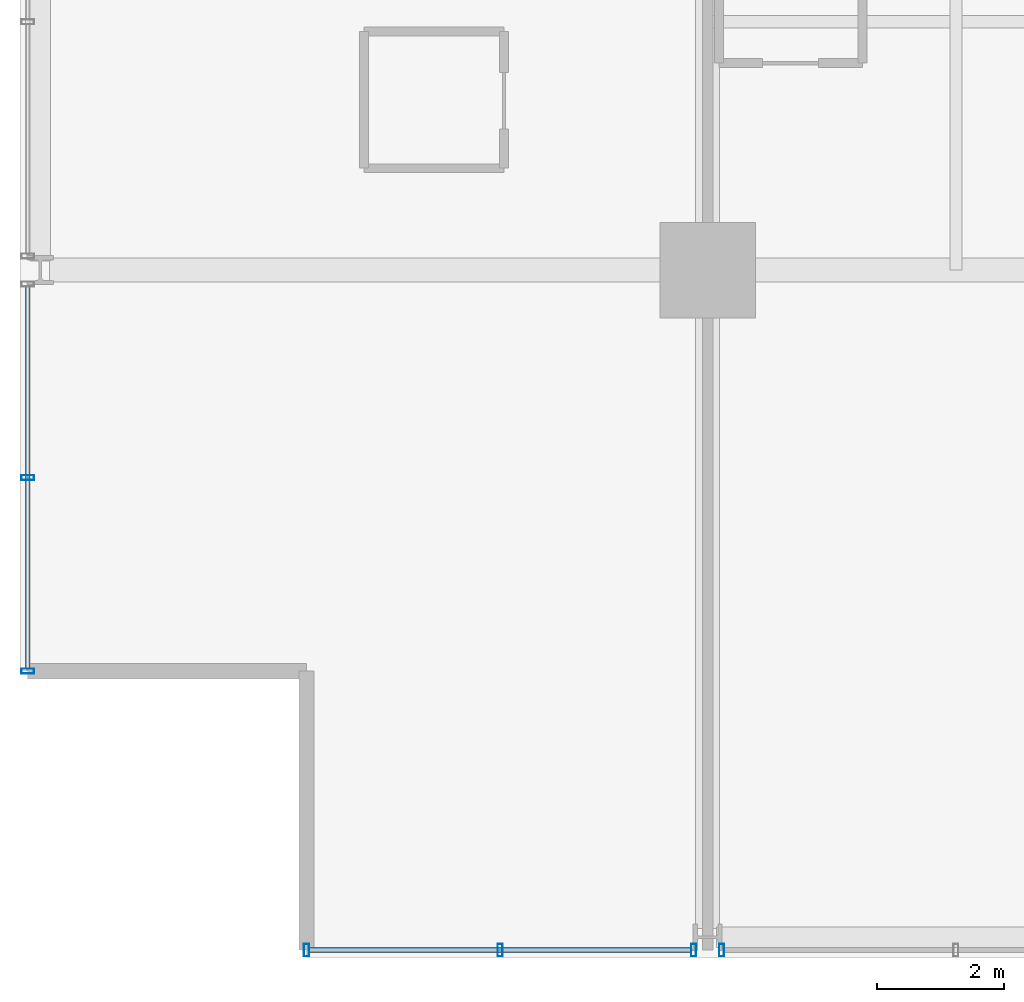
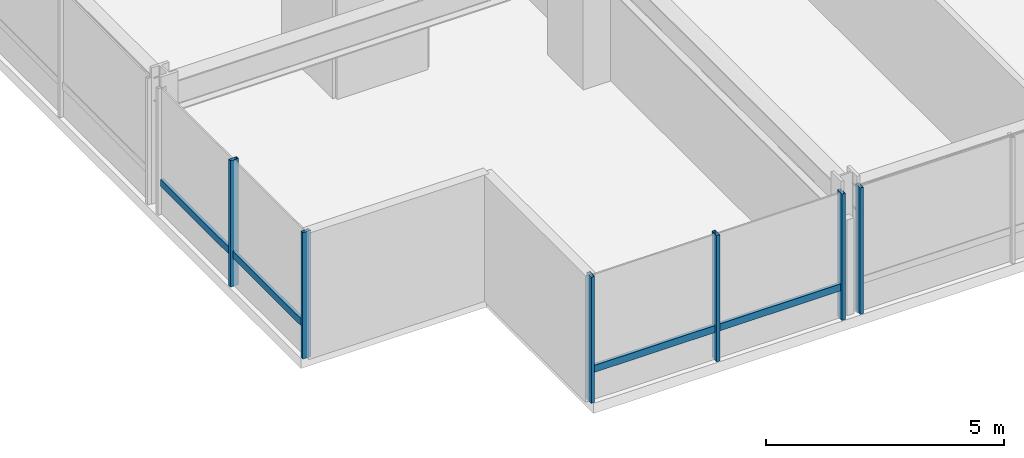
# One storey, part 2 of 35: 8 members, 3 elements without a shape of their own.
"""IFC4 building model written with IfcOpenShell, lengths in metres."""

from ifc_helpers import new_model, si_unit, direction, frame, origin, origin_2d, place, context, subcontext, project, spatial, hollow_rectangle, extrude, material, layer, layer_set, material_profile, profile_set, type_object, element, aggregate, save


model = new_model("IFC4")

# Units and contexts
model_context = context("Model", 3, precision=1e-05, world=origin(), true_north=direction((0.0, 1.0)))
body_context = subcontext(model_context, "Body", "Model", "MODEL_VIEW")
ifc_project = project(units=[si_unit("LENGTHUNIT", "METRE"), si_unit("AREAUNIT", "SQUARE_METRE"), si_unit("VOLUMEUNIT", "CUBIC_METRE"), si_unit("PLANEANGLEUNIT", "RADIAN"), si_unit("MASSUNIT", "GRAM", prefix="KILO")], contexts=[model_context])

# Site, building, storey
site_placement = place(None, origin())
site = spatial("IfcSite", under=ifc_project, at=site_placement, CompositionType="ELEMENT")
building_placement = place(site_placement, origin())
building = spatial("IfcBuilding", under=site, at=building_placement, Name="Drelvath Grand Hotel", CompositionType="ELEMENT")
storey_placement = place(building_placement, frame((0.0, 0.0, 95.300048828125)))
storey = spatial("IfcBuildingStorey", under=building, at=storey_placement, Name="L23", CompositionType="ELEMENT", Elevation=95.300048828125)

# Curtain wall, member
ifc_material = material(Name="Champagne Bronze Anodised Aluminium Frame", Category="aluminium")
ifc_layer = layer(ifc_material, 0.199951171875)
ifc_layer_set = layer_set([ifc_layer], Name="Champagne Bronze Anodised Aluminium Frame")
curtain_wall_type = type_object("IfcCurtainWallType", Name="Stick Curtain Wall CW-03 Champagne Bronze Mid-Rise", PredefinedType="NOTDEFINED", material=ifc_layer_set)
curtain_wall_1_placement = place(storey_placement, origin())
curtain_wall_1 = element("IfcCurtainWall", 1, at=curtain_wall_1_placement, inside=storey, type_object=curtain_wall_type, Name="L23 CW-03 Curtain Wall CW03-L23-WS1", PredefinedType="NOTDEFINED")
ifc_material_profile_1 = material_profile(ifc_material, hollow_rectangle(XDim=0.074951171875, YDim=0.179931640625, WallThickness=0.0048828125, at=origin_2d()), Name="HSS180X75X5")
ifc_profile_set_1 = profile_set([ifc_material_profile_1], Name="Champagne Bronze Anodised Aluminium Frame")
member_type_1 = type_object("IfcMemberType", Name="Curtain Wall Horizontal Transom CW-03 HSS180X75X5", PredefinedType="USERDEFINED", material=ifc_profile_set_1)
member_1_placement = place(storey_placement, frame((-26.8798828125, 4.5400390625, 0.81005859375), z_axis=(0.0, 1.0, 0.0), x_axis=(-1.0, 0.0, 0.0)))
member_1 = element("IfcMember", 2, at=member_1_placement, type_object=member_type_1, Name="CW03-L23-WS1 Sill Transom", ObjectType="TRANSOM", PredefinedType="USERDEFINED", context=body_context, shape_type="SweptSolid", body=[
    extrude(hollow_rectangle(XDim=0.074951171875, YDim=0.179931640625, WallThickness=0.0048828125, at=origin_2d()), origin(), (0.0, 0.0, 1.0), 6.000244140625),
])

curtain_wall_2_placement = place(storey_placement, origin())
curtain_wall_2 = element("IfcCurtainWall", 3, at=curtain_wall_2_placement, inside=storey, type_object=curtain_wall_type, Name="L23 CW-03 Curtain Wall CW03-L23-SW1", PredefinedType="NOTDEFINED")
member_2_placement = place(storey_placement, frame((-16.459716796875, 0.1201171875, 0.81005859375), z_axis=(-1.0, 0.0, 0.0), x_axis=(0.0, -1.0, 0.0)))
member_2 = element("IfcMember", 4, at=member_2_placement, type_object=member_type_1, Name="CW03-L23-SW1 Sill Transom", ObjectType="TRANSOM", PredefinedType="USERDEFINED", context=body_context, shape_type="SweptSolid", body=[
    extrude(hollow_rectangle(XDim=0.074951171875, YDim=0.179931640625, WallThickness=0.0048828125, at=origin_2d()), origin(), (0.0, 0.0, 1.0), 6.000244140625),
])

# Member
ifc_material_profile_2 = material_profile(ifc_material, hollow_rectangle(XDim=0.080078125, YDim=0.199951171875, WallThickness=0.0048828125, at=origin_2d()), Name="HSS200X80X5")
ifc_profile_set_2 = profile_set([ifc_material_profile_2], Name="Champagne Bronze Anodised Aluminium Frame")
member_type_2 = type_object("IfcMemberType", Name="Curtain Wall Vertical Mullion CW-03 HSS200X80X5", PredefinedType="MULLION", material=ifc_profile_set_2)
member_3_placement = place(storey_placement, frame((-26.8798828125, 4.5, 0.0), z_axis=(0.0, 0.0, 1.0), x_axis=(0.0, 1.0, 0.0)))
member_3 = element("IfcMember", 5, at=member_3_placement, type_object=member_type_2, Name="CW03-L23-WS1 Mullion 1", PredefinedType="MULLION", context=body_context, shape_type="SweptSolid", body=[
    extrude(hollow_rectangle(XDim=0.080078125, YDim=0.199951171875, WallThickness=0.0048828125, at=origin_2d()), origin(), (0.0, 0.0, 1.0), 3.239990234375),
])

member_4_placement = place(storey_placement, frame((-26.8798828125, 7.540283203125, 0.0), z_axis=(0.0, 0.0, 1.0), x_axis=(0.0, 1.0, 0.0)))
member_4 = element("IfcMember", 6, at=member_4_placement, type_object=member_type_2, Name="CW03-L23-WS1 Mullion 2", PredefinedType="MULLION", context=body_context, shape_type="SweptSolid", body=[
    extrude(hollow_rectangle(XDim=0.080078125, YDim=0.199951171875, WallThickness=0.0048828125, at=origin_2d()), origin(), (0.0, 0.0, 1.0), 3.239990234375),
])

aggregate(curtain_wall_1, [member_3, member_4, member_1])

member_5_placement = place(storey_placement, frame((-16.419677734375, 0.1201171875, 0.0), z_axis=(0.0, 0.0, 1.0), x_axis=(1.0, 0.0, 0.0)))
member_5 = element("IfcMember", 7, at=member_5_placement, type_object=member_type_2, Name="CW03-L23-SW1 Mullion 1", PredefinedType="MULLION", context=body_context, shape_type="SweptSolid", body=[
    extrude(hollow_rectangle(XDim=0.080078125, YDim=0.199951171875, WallThickness=0.0048828125, at=origin_2d()), origin(), (0.0, 0.0, 1.0), 3.239990234375),
])

member_6_placement = place(storey_placement, frame((-19.459716796875, 0.1201171875, 0.0), z_axis=(0.0, 0.0, 1.0), x_axis=(1.0, 0.0, 0.0)))
member_6 = element("IfcMember", 8, at=member_6_placement, type_object=member_type_2, Name="CW03-L23-SW1 Mullion 2", PredefinedType="MULLION", context=body_context, shape_type="SweptSolid", body=[
    extrude(hollow_rectangle(XDim=0.080078125, YDim=0.199951171875, WallThickness=0.0048828125, at=origin_2d()), origin(), (0.0, 0.0, 1.0), 3.239990234375),
])

member_7_placement = place(storey_placement, frame((-22.5, 0.1201171875, 0.0), z_axis=(0.0, 0.0, 1.0), x_axis=(1.0, 0.0, 0.0)))
member_7 = element("IfcMember", 9, at=member_7_placement, type_object=member_type_2, Name="CW03-L23-SW1 Mullion 3", PredefinedType="MULLION", context=body_context, shape_type="SweptSolid", body=[
    extrude(hollow_rectangle(XDim=0.080078125, YDim=0.199951171875, WallThickness=0.0048828125, at=origin_2d()), origin(), (0.0, 0.0, 1.0), 3.239990234375),
])

aggregate(curtain_wall_2, [member_5, member_6, member_7, member_2])

# Curtain wall, member
curtain_wall_3_placement = place(storey_placement, origin())
curtain_wall_3 = element("IfcCurtainWall", 10, at=curtain_wall_3_placement, inside=storey, type_object=curtain_wall_type, Name="L23 CW-03 Curtain Wall CW03-L23-SW2", PredefinedType="NOTDEFINED")
member_8_placement = place(storey_placement, frame((-15.98046875, 0.1201171875, 0.0), z_axis=(0.0, 0.0, 1.0), x_axis=(1.0, 0.0, 0.0)))
member_8 = element("IfcMember", 11, at=member_8_placement, type_object=member_type_2, Name="CW03-L23-SW2 Mullion 3", PredefinedType="MULLION", context=body_context, shape_type="SweptSolid", body=[
    extrude(hollow_rectangle(XDim=0.080078125, YDim=0.199951171875, WallThickness=0.0048828125, at=origin_2d()), origin(), (0.0, 0.0, 1.0), 3.239990234375),
])
aggregate(curtain_wall_3, [member_8])

save(model, "model.ifc")
